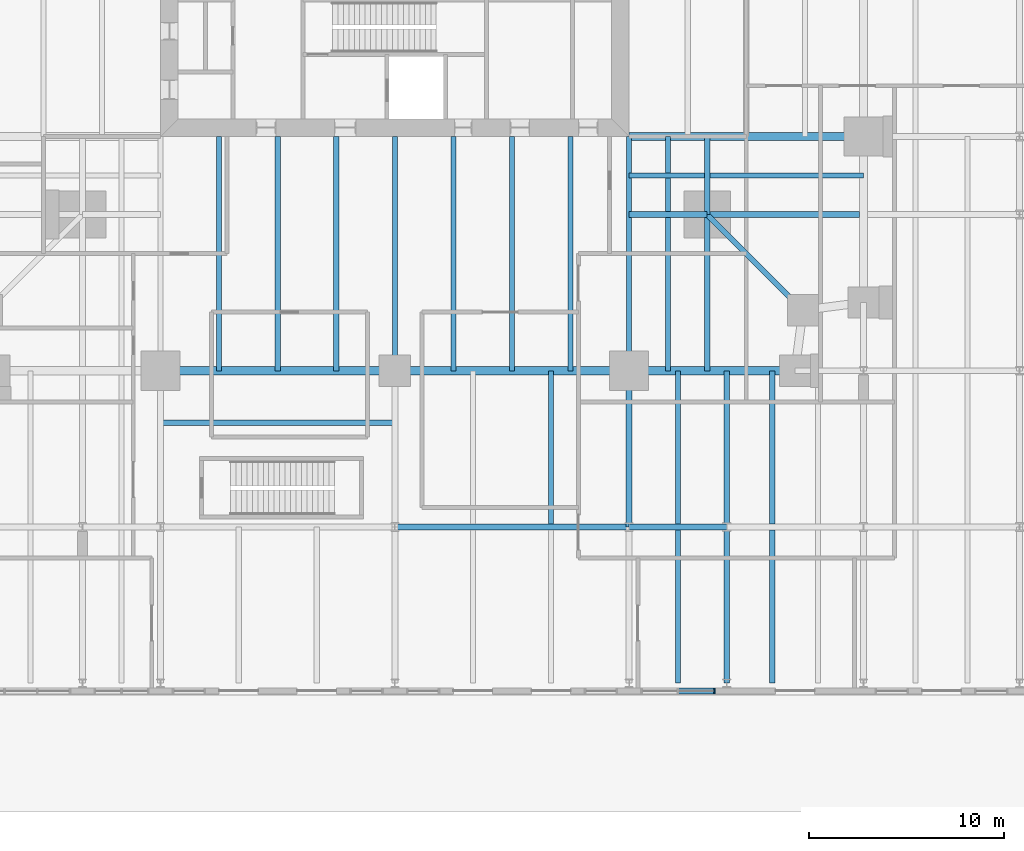
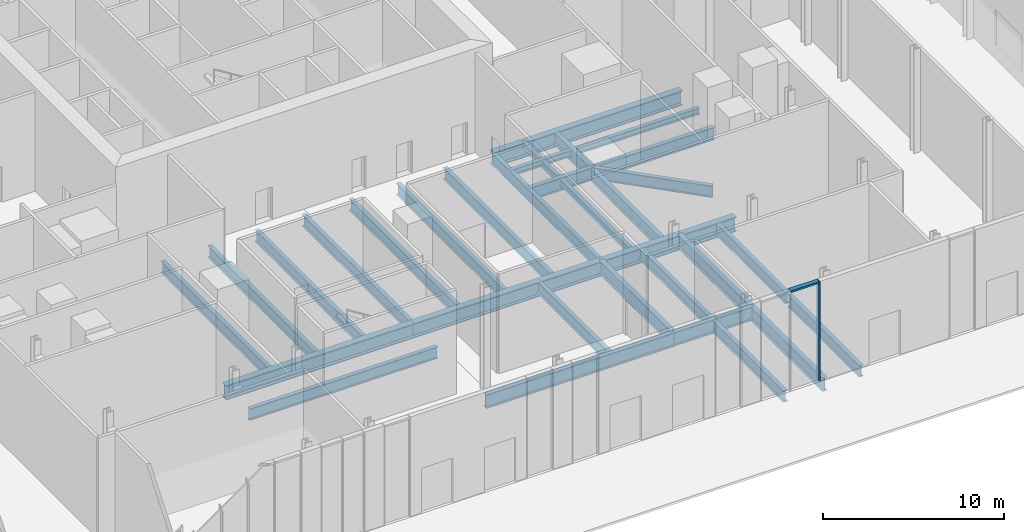
# One storey, part 6 of 20: 33 beams, 2 members, 1 element without a shape of its own.
"""IFC4 building model written with IfcOpenShell, lengths in metres."""

from ifc_helpers import new_model, si_unit, direction, frame, origin, origin_2d, place, context, subcontext, project, spatial, rectangle, i_section, extrude, material, material_profile, profile_set, type_object, element, aggregate, save


model = new_model("IFC4")

# Units and contexts
model_context = context("Model", 3, precision=1e-05, world=origin(), true_north=direction((0.0, 1.0)))
body_context = subcontext(model_context, "Body", "Model", "MODEL_VIEW")
ifc_project = project(units=[si_unit("LENGTHUNIT", "METRE"), si_unit("AREAUNIT", "SQUARE_METRE"), si_unit("VOLUMEUNIT", "CUBIC_METRE"), si_unit("PLANEANGLEUNIT", "RADIAN"), si_unit("MASSUNIT", "GRAM", prefix="KILO")], contexts=[model_context])

# Site, building, storey
site_placement = place(None, origin())
site = spatial("IfcSite", under=ifc_project, at=site_placement, CompositionType="ELEMENT")
building_placement = place(site_placement, origin())
building = spatial("IfcBuilding", under=site, at=building_placement, Name="Fenwick Lantern Interchange", CompositionType="ELEMENT")
storey_placement = place(building_placement, origin())
storey = spatial("IfcBuildingStorey", under=building, at=storey_placement, Name="L00", CompositionType="ELEMENT", Elevation=0.0)

# Beams
ifc_material_1 = material(Name="Steel ASTM A992 Grade 50", Category="steel")
ifc_material_profile_1 = material_profile(ifc_material_1, i_section(OverallWidth=0.4267578125, OverallDepth=0.975341796875, WebThickness=0.031005859375, FlangeThickness=0.055908203125, at=origin_2d()), Name="W36X395")
ifc_profile_set_1 = profile_set([ifc_material_profile_1], Name="Steel ASTM A992 Grade 50")
beam_type_1 = type_object("IfcBeamType", Name="EDGE BEAM W36X395", PredefinedType="SPANDREL", material=ifc_profile_set_1)
for number, where, z_axis, x_axis, name in (
    (1, (13.0, 1.0, -0.78759765625), (1.0, 0.0, 0.0), (0.0, 1.0, 0.0), "L00/FR/S/EB2"),
    (2, (25.0, 1.0, -0.78759765625), (1.0, 0.0, 0.0), (0.0, 1.0, 0.0), "L00/FR/S/EB3"),
):
    element("IfcBeam", number, at=place(storey_placement, frame(where, z_axis=z_axis, x_axis=x_axis)), inside=storey, type_object=beam_type_1, Name=name, PredefinedType="SPANDREL", context=body_context, shape_type="SweptSolid", body=[
        extrude(i_section(OverallWidth=0.4267578125, OverallDepth=0.975341796875, WebThickness=0.031005859375, FlangeThickness=0.055908203125, at=origin_2d()), origin(), (0.0, 0.0, 1.0), 12.0),
    ])
beam_1_placement = place(storey_placement, frame((37.0, 1.0, -0.78759765625), z_axis=(1.0, 0.0, 0.0), x_axis=(0.0, 1.0, 0.0)))
element("IfcBeam", 3, at=beam_1_placement, inside=storey, type_object=beam_type_1, Name="L00/FR/S/EB4", PredefinedType="SPANDREL", context=body_context, shape_type="SweptSolid", body=[
    extrude(i_section(OverallWidth=0.4267578125, OverallDepth=0.975341796875, WebThickness=0.031005859375, FlangeThickness=0.055908203125, at=origin_2d()), origin(), (0.0, 0.0, 1.0), 8.5),
])
ifc_material_profile_2 = material_profile(ifc_material_1, i_section(OverallWidth=0.2666015625, OverallDepth=0.77978515625, WebThickness=0.0166015625, FlangeThickness=0.030029296875, at=origin_2d()), Name="W30X148")
ifc_profile_set_2 = profile_set([ifc_material_profile_2], Name="Steel ASTM A992 Grade 50")
beam_type_2 = type_object("IfcBeamType", Name="FLOOR BEAM W30X148", PredefinedType="BEAM", material=ifc_profile_set_2)
for number, where, z_axis, x_axis, name in (
    (4, (16.0, 1.0, -0.68994140625), (0.0, 1.0, 0.0), (-1.0, 0.0, 0.0), "L00/FR/S/R02"),
    (5, (19.0, 1.0, -0.68994140625), (0.0, 1.0, 0.0), (-1.0, 0.0, 0.0), "L00/FR/S/R03"),
    (6, (22.0, 1.0, -0.68994140625), (0.0, 1.0, 0.0), (-1.0, 0.0, 0.0), "L00/FR/S/R04"),
    (7, (28.0, 1.0, -0.68994140625), (0.0, 1.0, 0.0), (-1.0, 0.0, 0.0), "L00/FR/S/R06"),
    (8, (31.0, 1.0, -0.68994140625), (0.0, 1.0, 0.0), (-1.0, 0.0, 0.0), "L00/FR/S/R07"),
    (9, (34.0, 1.0, -0.68994140625), (0.0, 1.0, 0.0), (-1.0, 0.0, 0.0), "L00/FR/S/R08"),
):
    element("IfcBeam", number, at=place(storey_placement, frame(where, z_axis=z_axis, x_axis=x_axis)), inside=storey, type_object=beam_type_2, Name=name, PredefinedType="BEAM", context=body_context, shape_type="SweptSolid", body=[
        extrude(i_section(OverallWidth=0.2666015625, OverallDepth=0.77978515625, WebThickness=0.0166015625, FlangeThickness=0.030029296875, at=origin_2d()), origin(), (0.0, 0.0, 1.0), 12.0),
    ])
ifc_material_profile_3 = material_profile(ifc_material_1, i_section(OverallWidth=0.259033203125, OverallDepth=0.4140625, WebThickness=0.010009765625, FlangeThickness=0.016845703125, at=origin_2d()), Name="W16X67")
ifc_profile_set_3 = profile_set([ifc_material_profile_3], Name="Steel ASTM A992 Grade 50")
beam_type_3 = type_object("IfcBeamType", Name="INFILL BEAM W16X67", PredefinedType="JOIST", material=ifc_profile_set_3)
beam_2_placement = place(storey_placement, frame((49.0, 11.0, -0.507080078125), z_axis=(-1.0, 0.0, 0.0), x_axis=(0.0, -1.0, 0.0)))
element("IfcBeam", 10, at=beam_2_placement, inside=storey, type_object=beam_type_3, Name="L00/FR/E/J1", PredefinedType="JOIST", context=body_context, shape_type="SweptSolid", body=[
    extrude(i_section(OverallWidth=0.259033203125, OverallDepth=0.4140625, WebThickness=0.010009765625, FlangeThickness=0.016845703125, at=origin_2d()), origin(), (0.0, 0.0, 1.0), 7.85400390625),
])
beam_3_placement = place(storey_placement, frame((40.85400390625, 11.0, -0.507080078125), z_axis=(-1.0, 0.0, 0.0), x_axis=(0.0, -1.0, 0.0)))
element("IfcBeam", 11, at=beam_3_placement, inside=storey, type_object=beam_type_3, Name="L00/FR/E/J2", PredefinedType="JOIST", context=body_context, shape_type="SweptSolid", body=[
    extrude(i_section(OverallWidth=0.259033203125, OverallDepth=0.4140625, WebThickness=0.010009765625, FlangeThickness=0.016845703125, at=origin_2d()), origin(), (0.0, 0.0, 1.0), 3.85400390625),
])
beam_4_placement = place(storey_placement, frame((39.0, 1.0, -0.507080078125), z_axis=(0.0, 1.0, 0.0), x_axis=(-1.0, 0.0, 0.0)))
element("IfcBeam", 12, at=beam_4_placement, inside=storey, type_object=beam_type_3, Name="L00/FR/E/J3", PredefinedType="JOIST", context=body_context, shape_type="SweptSolid", body=[
    extrude(i_section(OverallWidth=0.259033203125, OverallDepth=0.4140625, WebThickness=0.010009765625, FlangeThickness=0.016845703125, at=origin_2d()), origin(), (0.0, 0.0, 1.0), 7.85400390625),
])
beam_5_placement = place(storey_placement, frame((39.0, 9.14599609375, -0.507080078125), z_axis=(0.0, 1.0, 0.0), x_axis=(-1.0, 0.0, 0.0)))
element("IfcBeam", 13, at=beam_5_placement, inside=storey, type_object=beam_type_3, Name="L00/FR/E/J4", PredefinedType="JOIST", context=body_context, shape_type="SweptSolid", body=[
    extrude(i_section(OverallWidth=0.259033203125, OverallDepth=0.4140625, WebThickness=0.010009765625, FlangeThickness=0.016845703125, at=origin_2d()), origin(), (0.0, 0.0, 1.0), 1.724365234375),
])
beam_6_placement = place(storey_placement, frame((39.0, 11.129638671875, -0.507080078125), z_axis=(0.0, 1.0, 0.0), x_axis=(-1.0, 0.0, 0.0)))
element("IfcBeam", 14, at=beam_6_placement, inside=storey, type_object=beam_type_3, Name="L00/FR/E/J5", PredefinedType="JOIST", context=body_context, shape_type="SweptSolid", body=[
    extrude(i_section(OverallWidth=0.259033203125, OverallDepth=0.4140625, WebThickness=0.010009765625, FlangeThickness=0.016845703125, at=origin_2d()), origin(), (0.0, 0.0, 1.0), 1.870361328125),
])
ifc_material_profile_4 = material_profile(ifc_material_1, i_section(OverallWidth=0.2919921875, OverallDepth=0.845703125, WebThickness=0.015380859375, FlangeThickness=0.0244140625, at=origin_2d()), Name="W33X141")
ifc_profile_set_4 = profile_set([ifc_material_profile_4], Name="Steel ASTM A992 Grade 50")
beam_type_4 = type_object("IfcBeamType", Name="MEGA COLUMN BEAM W33X141", PredefinedType="BEAM", material=ifc_profile_set_4)
beam_7_placement = place(storey_placement, frame((41.0, 9.0, -0.722900390625), z_axis=(1.0, 0.0, 0.0), x_axis=(0.0, 1.0, 0.0)))
element("IfcBeam", 15, at=beam_7_placement, inside=storey, type_object=beam_type_4, Name="L00/FR/E/MB1", PredefinedType="BEAM", context=body_context, shape_type="SweptSolid", body=[
    extrude(i_section(OverallWidth=0.2919921875, OverallDepth=0.845703125, WebThickness=0.015380859375, FlangeThickness=0.0244140625, at=origin_2d()), origin(), (0.0, 0.0, 1.0), 7.78662109375),
])
beam_8_placement = place(storey_placement, frame((41.0, 9.0, -0.722900390625), z_axis=(0.0, -1.0, 0.0), x_axis=(1.0, 0.0, 0.0)))
element("IfcBeam", 16, at=beam_8_placement, inside=storey, type_object=beam_type_4, Name="L00/FR/E/MB2", PredefinedType="BEAM", context=body_context, shape_type="SweptSolid", body=[
    extrude(i_section(OverallWidth=0.2919921875, OverallDepth=0.845703125, WebThickness=0.015380859375, FlangeThickness=0.0244140625, at=origin_2d()), origin(), (0.0, 0.0, 1.0), 8.0),
])
for number, where, z_axis, x_axis, name in (
    (17, (41.0, 9.0, -0.722900390625), (0.0, 1.0, 0.0), (-1.0, 0.0, 0.0), "L00/FR/E/MB3"),
    (18, (41.0, 9.0, -0.722900390625), (-1.0, 0.0, 0.0), (0.0, -1.0, 0.0), "L00/FR/E/MB4"),
):
    element("IfcBeam", number, at=place(storey_placement, frame(where, z_axis=z_axis, x_axis=x_axis)), inside=storey, type_object=beam_type_4, Name=name, PredefinedType="BEAM", context=body_context, shape_type="SweptSolid", body=[
        extrude(i_section(OverallWidth=0.2919921875, OverallDepth=0.845703125, WebThickness=0.015380859375, FlangeThickness=0.0244140625, at=origin_2d()), origin(), (0.0, 0.0, 1.0), 4.0),
    ])
ifc_material_profile_5 = material_profile(ifc_material_1, i_section(OverallWidth=0.2666015625, OverallDepth=0.76953125, WebThickness=0.015625, FlangeThickness=0.025390625, at=origin_2d()), Name="W30X132")
ifc_profile_set_5 = profile_set([ifc_material_profile_5], Name="Steel ASTM A992 Grade 50")
beam_type_5 = type_object("IfcBeamType", Name="MOMENT-CONNECTED GIRDER W30X132", PredefinedType="BEAM", material=ifc_profile_set_5)
for number, where, z_axis, x_axis, name in (
    (19, (25.0, 1.0, -0.684814453125), (0.0, 1.0, 0.0), (-1.0, 0.0, 0.0), "L00/FR/S/R05"),
    (20, (37.0, 1.0, -0.684814453125), (0.0, 1.0, 0.0), (-1.0, 0.0, 0.0), "L00/FR/S/R09"),
):
    element("IfcBeam", number, at=place(storey_placement, frame(where, z_axis=z_axis, x_axis=x_axis)), inside=storey, type_object=beam_type_5, Name=name, PredefinedType="BEAM", context=body_context, shape_type="SweptSolid", body=[
        extrude(i_section(OverallWidth=0.2666015625, OverallDepth=0.76953125, WebThickness=0.015625, FlangeThickness=0.025390625, at=origin_2d()), origin(), (0.0, 0.0, 1.0), 12.0),
    ])
ifc_material_profile_6 = material_profile(ifc_material_1, i_section(OverallWidth=0.4267578125, OverallDepth=0.975341796875, WebThickness=0.031005859375, FlangeThickness=0.055908203125, at=origin_2d()), Name="W36X395")
ifc_profile_set_6 = profile_set([ifc_material_profile_6], Name="Steel ASTM A992 Grade 50")
beam_type_6 = type_object("IfcBeamType", Name="MOMENT-CONNECTED GIRDER W36X395", PredefinedType="BEAM", material=ifc_profile_set_6)
beam_9_placement = place(storey_placement, frame((49.0, 13.0, -0.78759765625), z_axis=(-1.0, 0.0, 0.0), x_axis=(0.0, -1.0, 0.0)))
element("IfcBeam", 21, at=beam_9_placement, inside=storey, type_object=beam_type_6, Name="L00/FR/E/R01", PredefinedType="BEAM", context=body_context, shape_type="SweptSolid", body=[
    extrude(i_section(OverallWidth=0.4267578125, OverallDepth=0.975341796875, WebThickness=0.031005859375, FlangeThickness=0.055908203125, at=origin_2d()), origin(), (0.0, 0.0, 1.0), 12.0),
])
ifc_material_profile_7 = material_profile(ifc_material_1, i_section(OverallWidth=0.3046875, OverallDepth=0.911865234375, WebThickness=0.015869140625, FlangeThickness=0.02392578125, at=origin_2d()), Name="W36X150")
ifc_profile_set_7 = profile_set([ifc_material_profile_7], Name="Steel ASTM A992 Grade 50")
beam_type_7 = type_object("IfcBeamType", Name="MOMENT-CONNECTED PODIUM GIRDER W36X150", PredefinedType="BEAM", material=ifc_profile_set_7)
beam_10_placement = place(storey_placement, frame((37.0, -7.0, -0.755859375), z_axis=(1.0, 0.0, 0.0), x_axis=(0.0, 1.0, 0.0)))
element("IfcBeam", 22, at=beam_10_placement, inside=storey, type_object=beam_type_7, Name="L00/PF/G007", PredefinedType="BEAM", context=body_context, shape_type="SweptSolid", body=[
    extrude(i_section(OverallWidth=0.3046875, OverallDepth=0.911865234375, WebThickness=0.015869140625, FlangeThickness=0.02392578125, at=origin_2d()), origin(), (0.0, 0.0, 1.0), 5.0),
])
for number, where, z_axis, x_axis, name in (
    (23, (37.0, -7.0, -0.755859375), (0.0, 1.0, 0.0), (-1.0, 0.0, 0.0), "L00/PF/G082"),
    (24, (42.0, -15.0, -0.755859375), (0.0, 1.0, 0.0), (-1.0, 0.0, 0.0), "L00/PF/G085"),
    (25, (42.0, -7.0, -0.755859375), (0.0, 1.0, 0.0), (-1.0, 0.0, 0.0), "L00/PF/G086"),
):
    element("IfcBeam", number, at=place(storey_placement, frame(where, z_axis=z_axis, x_axis=x_axis)), inside=storey, type_object=beam_type_7, Name=name, PredefinedType="BEAM", context=body_context, shape_type="SweptSolid", body=[
        extrude(i_section(OverallWidth=0.3046875, OverallDepth=0.911865234375, WebThickness=0.015869140625, FlangeThickness=0.02392578125, at=origin_2d()), origin(), (0.0, 0.0, 1.0), 8.0),
    ])
ifc_material_profile_8 = material_profile(ifc_material_1, i_section(OverallWidth=0.307373046875, OverallDepth=0.927001953125, WebThickness=0.01953125, FlangeThickness=0.031982421875, at=origin_2d()), Name="W36X194")
ifc_profile_set_8 = profile_set([ifc_material_profile_8], Name="Steel ASTM A992 Grade 50")
beam_type_8 = type_object("IfcBeamType", Name="MOMENT-CONNECTED PODIUM GIRDER W36X194", PredefinedType="BEAM", material=ifc_profile_set_8)
beam_11_placement = place(storey_placement, frame((25.0, -7.0, -0.763671875), z_axis=(1.0, 0.0, 0.0), x_axis=(0.0, 1.0, 0.0)))
element("IfcBeam", 26, at=beam_11_placement, inside=storey, type_object=beam_type_8, Name="L00/PF/G006", PredefinedType="BEAM", context=body_context, shape_type="SweptSolid", body=[
    extrude(i_section(OverallWidth=0.307373046875, OverallDepth=0.927001953125, WebThickness=0.01953125, FlangeThickness=0.031982421875, at=origin_2d()), origin(), (0.0, 0.0, 1.0), 12.0),
])
ifc_material_profile_9 = material_profile(ifc_material_1, i_section(OverallWidth=0.2666015625, OverallDepth=0.77978515625, WebThickness=0.0166015625, FlangeThickness=0.030029296875, at=origin_2d()), Name="W30X148")
ifc_profile_set_9 = profile_set([ifc_material_profile_9], Name="Steel ASTM A992 Grade 50")
beam_type_9 = type_object("IfcBeamType", Name="NOTCH BEAM W30X148", PredefinedType="BEAM", material=ifc_profile_set_9)
beam_12_placement = place(storey_placement, frame((41.0, 9.0, -0.68994140625), z_axis=(0.707106781187, -0.707106781187, 0.0), x_axis=(0.707106781187, 0.707106781187, 0.0)))
element("IfcBeam", 27, at=beam_12_placement, inside=storey, type_object=beam_type_9, Name="L00/FR/E/TG", PredefinedType="BEAM", context=body_context, shape_type="SweptSolid", body=[
    extrude(i_section(OverallWidth=0.2666015625, OverallDepth=0.77978515625, WebThickness=0.0166015625, FlangeThickness=0.030029296875, at=origin_2d()), origin(), (0.0, 0.0, 1.0), 6.929443359375),
])
ifc_material_profile_10 = material_profile(ifc_material_1, i_section(OverallWidth=0.2666015625, OverallDepth=0.77978515625, WebThickness=0.0166015625, FlangeThickness=0.030029296875, at=origin_2d()), Name="W30X148")
ifc_profile_set_10 = profile_set([ifc_material_profile_10], Name="Steel ASTM A992 Grade 50")
beam_type_10 = type_object("IfcBeamType", Name="PODIUM BEAM W30X148", PredefinedType="JOIST", material=ifc_profile_set_10)
beam_13_placement = place(storey_placement, frame((13.0, -1.666748046875, -0.68994140625), z_axis=(1.0, 0.0, 0.0), x_axis=(0.0, 1.0, 0.0)))
element("IfcBeam", 28, at=beam_13_placement, inside=storey, type_object=beam_type_10, Name="L00/PF/J157", PredefinedType="JOIST", context=body_context, shape_type="SweptSolid", body=[
    extrude(i_section(OverallWidth=0.2666015625, OverallDepth=0.77978515625, WebThickness=0.0166015625, FlangeThickness=0.030029296875, at=origin_2d()), origin(), (0.0, 0.0, 1.0), 12.0),
])
beam_14_placement = place(storey_placement, frame((33.0, -6.846435546875, -0.68994140625), z_axis=(0.0, 1.0, 0.0), x_axis=(-1.0, 0.0, 0.0)))
element("IfcBeam", 29, at=beam_14_placement, inside=storey, type_object=beam_type_10, Name="L00/PF/J164", PredefinedType="JOIST", context=body_context, shape_type="SweptSolid", body=[
    extrude(i_section(OverallWidth=0.2666015625, OverallDepth=0.77978515625, WebThickness=0.0166015625, FlangeThickness=0.030029296875, at=origin_2d()), origin(), (0.0, 0.0, 1.0), 7.846435546875),
])
for number, where, z_axis, x_axis, name in (
    (30, (39.5, -15.0, -0.68994140625), (0.0, 1.0, 0.0), (-1.0, 0.0, 0.0), "L00/PF/J169"),
    (31, (39.5, -6.84765625, -0.68994140625), (0.0, 1.0, 0.0), (-1.0, 0.0, 0.0), "L00/PF/J170"),
    (32, (44.333251953125, -15.0, -0.68994140625), (0.0, 1.0, 0.0), (-1.0, 0.0, 0.0), "L00/PF/J173"),
    (33, (44.333251953125, -6.84765625, -0.68994140625), (0.0, 1.0, 0.0), (-1.0, 0.0, 0.0), "L00/PF/J175"),
):
    element("IfcBeam", number, at=place(storey_placement, frame(where, z_axis=z_axis, x_axis=x_axis)), inside=storey, type_object=beam_type_10, Name=name, PredefinedType="JOIST", context=body_context, shape_type="SweptSolid", body=[
        extrude(i_section(OverallWidth=0.2666015625, OverallDepth=0.77978515625, WebThickness=0.0166015625, FlangeThickness=0.030029296875, at=origin_2d()), origin(), (0.0, 0.0, 1.0), 7.84765625),
    ])

# Curtain wall, members
ifc_material_2 = material(Name="Aluminium curtain wall frame", Category="aluminium")
curtain_wall_type = type_object("IfcCurtainWallType", Name="STOREFRONT GLAZING", PredefinedType="USERDEFINED", material=ifc_material_2)
curtain_wall_placement = place(storey_placement, origin())
curtain_wall = element("IfcCurtainWall", 34, at=curtain_wall_placement, inside=storey, type_object=curtain_wall_type, Name="Storefront glazing S10", ObjectType="STOREFRONT GLAZING", PredefinedType="USERDEFINED")
ifc_material_3 = material(Name="Aluminium extrusion", Category="aluminium")
ifc_material_profile_11 = material_profile(ifc_material_3, rectangle(XDim=0.300048828125, YDim=0.06494140625, at=origin_2d()), Name="STOREFRONT GLAZING MULLION 65 X 300")
ifc_profile_set_11 = profile_set([ifc_material_profile_11], Name="Aluminium extrusion")
member_type_1 = type_object("IfcMemberType", Name="STOREFRONT GLAZING MULLION 65 X 300", PredefinedType="MULLION", material=ifc_profile_set_11)
member_1_placement = place(storey_placement, frame((41.367431640625, -15.39990234375, 0.0), z_axis=(0.0, 0.0, 1.0), x_axis=(0.0, 1.0, 0.0)))
member_1 = element("IfcMember", 35, at=member_1_placement, type_object=member_type_1, Name="L00/CW/S10/M02", PredefinedType="MULLION", context=body_context, shape_type="SweptSolid", body=[
    extrude(rectangle(XDim=0.300048828125, YDim=0.06494140625, at=origin_2d()), origin(), (0.0, 0.0, 1.0), 6.699951171875),
])
ifc_material_profile_12 = material_profile(ifc_material_3, rectangle(XDim=0.300048828125, YDim=0.1201171875, at=origin_2d()), Name="STOREFRONT GLAZING TRANSOM 120 X 300")
ifc_profile_set_12 = profile_set([ifc_material_profile_12], Name="Aluminium extrusion")
member_type_2 = type_object("IfcMemberType", Name="STOREFRONT GLAZING TRANSOM 120 X 300", PredefinedType="MULLION", material=ifc_profile_set_12)
member_2_placement = place(storey_placement, frame((39.532470703125, -15.39990234375, 6.639892578125), z_axis=(1.0, 0.0, 0.0), x_axis=(0.0, 1.0, 0.0)))
member_2 = element("IfcMember", 36, at=member_2_placement, type_object=member_type_2, Name="L00/CW/S10/T01", PredefinedType="MULLION", context=body_context, shape_type="SweptSolid", body=[
    extrude(rectangle(XDim=0.300048828125, YDim=0.1201171875, at=origin_2d()), origin(), (0.0, 0.0, 1.0), 1.802490234375),
])
aggregate(curtain_wall, [member_1, member_2])

save(model, "model.ifc")
